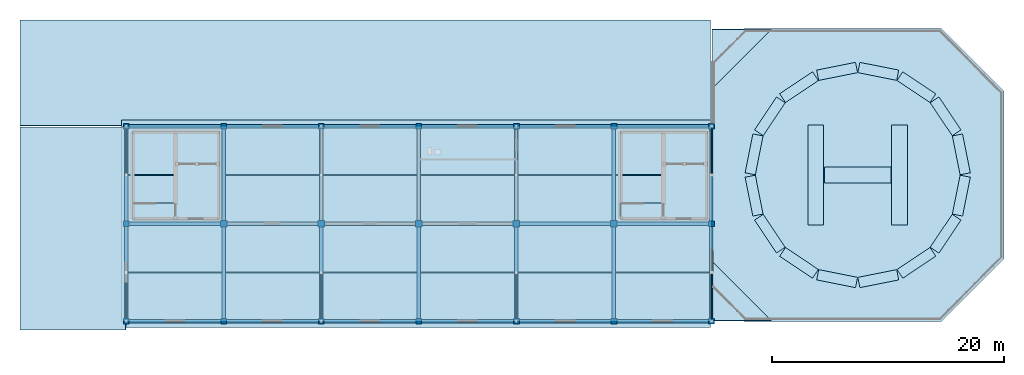
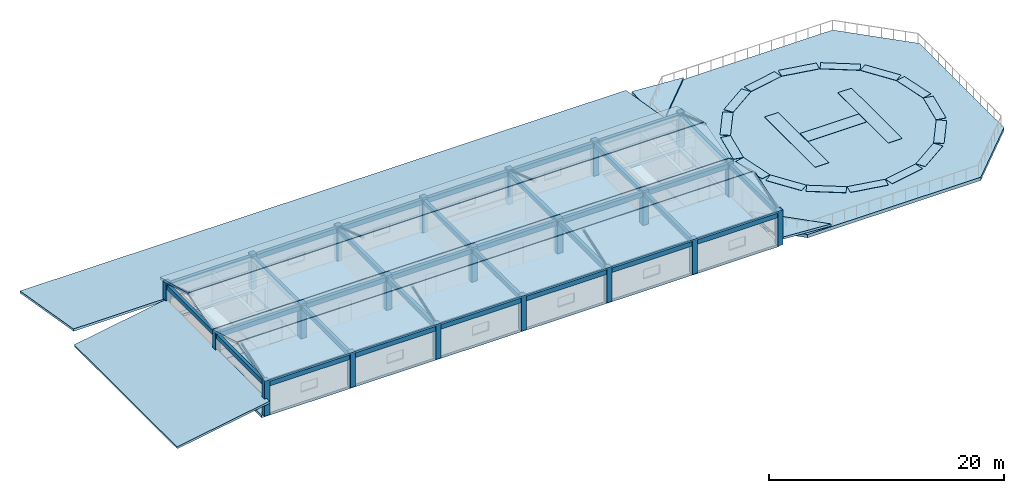
# One storey, part 1 of 5: 32 beams, 21 columns, 19 plates, 14 slabs, 8 members.
"""IFC4 building model written with IfcOpenShell, lengths in metres."""

from ifc_helpers import new_model, si_unit, direction, frame, origin, origin_2d, place, context, subcontext, project, spatial, polyline, rectangle, hollow_circle, outline, extrude, material, layer, layer_set, material_profile, profile_set, type_object, element, save


model = new_model("IFC4")

# Units and contexts
model_context = context("Model", 3, precision=1e-05, world=origin(), true_north=direction((0.0, 1.0)))
body_context = subcontext(model_context, "Body", "Model", "MODEL_VIEW")
ifc_project = project(units=[si_unit("LENGTHUNIT", "METRE"), si_unit("AREAUNIT", "SQUARE_METRE"), si_unit("VOLUMEUNIT", "CUBIC_METRE"), si_unit("PLANEANGLEUNIT", "RADIAN"), si_unit("MASSUNIT", "GRAM", prefix="KILO")], contexts=[model_context])

# Site, building, storey
site_placement = place(None, origin())
site = spatial("IfcSite", under=ifc_project, at=site_placement, CompositionType="ELEMENT")
building_placement = place(site_placement, origin())
building = spatial("IfcBuilding", under=site, at=building_placement, Name="Trelvath General Hospital", CompositionType="ELEMENT")
storey_placement = place(building_placement, frame((0.0, 0.0, 33.0)))
storey = spatial("IfcBuildingStorey", under=building, at=storey_placement, Name="RF", CompositionType="ELEMENT", Elevation=33.0)

# Columns
ifc_material_1 = material(Name="Concrete C40/50", Category="concrete")
ifc_material_profile_1 = material_profile(ifc_material_1, rectangle(XDim=0.5, YDim=0.5, at=origin_2d()), Name="RC500x500")
ifc_profile_set_1 = profile_set([ifc_material_profile_1], Name="Concrete C40/50")
column_type_1 = type_object("IfcColumnType", Name="Column RC500", PredefinedType="COLUMN", material=ifc_profile_set_1)
for number, where, z_axis, x_axis, name in (
    (1, (42.0, 92.39990234375, 0.0), (0.0, 0.0, 1.0), (1.0, 0.0, 0.0), "Column C-6L RF"),
    (2, (42.0, 100.800048828125, 0.0), (0.0, 0.0, 1.0), (1.0, 0.0, 0.0), "Column C-6M RF"),
    (3, (42.0, 109.199951171875, 0.0), (0.0, 0.0, 1.0), (1.0, 0.0, 0.0), "Column C-6N RF"),
    (4, (50.39990234375, 92.39990234375, 0.0), (0.0, 0.0, 1.0), (1.0, 0.0, 0.0), "Column C-7L RF"),
    (5, (50.39990234375, 109.199951171875, 0.0), (0.0, 0.0, 1.0), (1.0, 0.0, 0.0), "Column C-7N RF"),
    (6, (58.800048828125, 92.39990234375, 0.0), (0.0, 0.0, 1.0), (1.0, 0.0, 0.0), "Column C-8L RF"),
    (7, (58.800048828125, 109.199951171875, 0.0), (0.0, 0.0, 1.0), (1.0, 0.0, 0.0), "Column C-8N RF"),
    (8, (67.199951171875, 92.39990234375, 0.0), (0.0, 0.0, 1.0), (1.0, 0.0, 0.0), "Column C-9L RF"),
    (9, (67.199951171875, 109.199951171875, 0.0), (0.0, 0.0, 1.0), (1.0, 0.0, 0.0), "Column C-9N RF"),
    (10, (75.60009765625, 92.39990234375, 0.0), (0.0, 0.0, 1.0), (1.0, 0.0, 0.0), "Column C-10L RF"),
    (11, (75.60009765625, 109.199951171875, 0.0), (0.0, 0.0, 1.0), (1.0, 0.0, 0.0), "Column C-10N RF"),
    (12, (84.0, 92.39990234375, 0.0), (0.0, 0.0, 1.0), (1.0, 0.0, 0.0), "Column C-11L RF"),
    (13, (84.0, 109.199951171875, 0.0), (0.0, 0.0, 1.0), (1.0, 0.0, 0.0), "Column C-11N RF"),
    (14, (92.39990234375, 92.39990234375, 0.0), (0.0, 0.0, 1.0), (1.0, 0.0, 0.0), "Column C-12L RF"),
    (15, (92.39990234375, 100.800048828125, 0.0), (0.0, 0.0, 1.0), (1.0, 0.0, 0.0), "Column C-12M RF"),
    (16, (92.39990234375, 109.199951171875, 0.0), (0.0, 0.0, 1.0), (1.0, 0.0, 0.0), "Column C-12N RF"),
):
    element("IfcColumn", number, at=place(storey_placement, frame(where, z_axis=z_axis, x_axis=x_axis)), inside=storey, type_object=column_type_1, Name=name, PredefinedType="COLUMN", context=body_context, shape_type="SweptSolid", body=[
        extrude(rectangle(XDim=0.5, YDim=0.5, at=origin_2d()), origin(), (0.0, 0.0, 1.0), 3.60009765625),
    ])
ifc_material_2 = material(Name="Concrete C40/50", Category="concrete")
ifc_material_profile_2 = material_profile(ifc_material_2, rectangle(XDim=0.550048828125, YDim=0.550048828125, at=origin_2d()), Name="RC550x550")
ifc_profile_set_2 = profile_set([ifc_material_profile_2], Name="Concrete C40/50")
column_type_2 = type_object("IfcColumnType", Name="Column RC550", PredefinedType="COLUMN", material=ifc_profile_set_2)
for number, where, z_axis, x_axis, name in (
    (17, (50.39990234375, 100.800048828125, 0.0), (0.0, 0.0, 1.0), (1.0, 0.0, 0.0), "Column C-7M RF"),
    (18, (58.800048828125, 100.800048828125, 0.0), (0.0, 0.0, 1.0), (1.0, 0.0, 0.0), "Column C-8M RF"),
    (19, (67.199951171875, 100.800048828125, 0.0), (0.0, 0.0, 1.0), (1.0, 0.0, 0.0), "Column C-9M RF"),
    (20, (75.60009765625, 100.800048828125, 0.0), (0.0, 0.0, 1.0), (1.0, 0.0, 0.0), "Column C-10M RF"),
    (21, (84.0, 100.800048828125, 0.0), (0.0, 0.0, 1.0), (1.0, 0.0, 0.0), "Column C-11M RF"),
):
    element("IfcColumn", number, at=place(storey_placement, frame(where, z_axis=z_axis, x_axis=x_axis)), inside=storey, type_object=column_type_2, Name=name, PredefinedType="COLUMN", context=body_context, shape_type="SweptSolid", body=[
        extrude(rectangle(XDim=0.550048828125, YDim=0.550048828125, at=origin_2d()), origin(), (0.0, 0.0, 1.0), 3.60009765625),
    ])

# Beams
ifc_material_3 = material(Name="Concrete C35/45", Category="concrete")
ifc_material_profile_3 = material_profile(ifc_material_3, rectangle(XDim=0.300048828125, YDim=0.449951171875, at=origin_2d()), Name="RCB300x450")
ifc_profile_set_3 = profile_set([ifc_material_profile_3], Name="Concrete C35/45")
beam_type_1 = type_object("IfcBeamType", Name="Beam RC300x450", PredefinedType="BEAM", material=ifc_profile_set_3)
beam_1_placement = place(storey_placement, frame((42.0, 92.64501953125, 3.155029296875), z_axis=(0.0, 1.0, 0.0), x_axis=(-1.0, 0.0, 0.0)))
element("IfcBeam", 22, at=beam_1_placement, inside=storey, type_object=beam_type_1, Name="Grid Beam BY-F05L", PredefinedType="BEAM", context=body_context, shape_type="SweptSolid", body=[
    extrude(rectangle(XDim=0.300048828125, YDim=0.449951171875, at=origin_2d()), origin(), (0.0, 0.0, 1.0), 7.909912109375),
])
beam_2_placement = place(storey_placement, frame((42.0, 101.044921875, 3.155029296875), z_axis=(0.0, 1.0, 0.0), x_axis=(-1.0, 0.0, 0.0)))
element("IfcBeam", 23, at=beam_2_placement, inside=storey, type_object=beam_type_1, Name="Grid Beam BY-F05M", PredefinedType="BEAM", context=body_context, shape_type="SweptSolid", body=[
    extrude(rectangle(XDim=0.300048828125, YDim=0.449951171875, at=origin_2d()), origin(), (0.0, 0.0, 1.0), 7.91015625),
])
for number, where, z_axis, x_axis, name in (
    (24, (50.39990234375, 92.64501953125, 3.155029296875), (0.0, 1.0, 0.0), (-1.0, 0.0, 0.0), "Grid Beam BY-F06L"),
    (25, (50.39990234375, 101.070068359375, 3.155029296875), (0.0, 1.0, 0.0), (-1.0, 0.0, 0.0), "Grid Beam BY-F06M"),
    (26, (58.800048828125, 92.64501953125, 3.155029296875), (0.0, 1.0, 0.0), (-1.0, 0.0, 0.0), "Grid Beam BY-F07L"),
    (27, (58.800048828125, 101.070068359375, 3.155029296875), (0.0, 1.0, 0.0), (-1.0, 0.0, 0.0), "Grid Beam BY-F07M"),
    (28, (67.199951171875, 92.64501953125, 3.155029296875), (0.0, 1.0, 0.0), (-1.0, 0.0, 0.0), "Grid Beam BY-F08L"),
    (29, (67.199951171875, 101.070068359375, 3.155029296875), (0.0, 1.0, 0.0), (-1.0, 0.0, 0.0), "Grid Beam BY-F08M"),
    (30, (75.60009765625, 92.64501953125, 3.155029296875), (0.0, 1.0, 0.0), (-1.0, 0.0, 0.0), "Grid Beam BY-F09L"),
    (31, (75.60009765625, 101.070068359375, 3.155029296875), (0.0, 1.0, 0.0), (-1.0, 0.0, 0.0), "Grid Beam BY-F09M"),
    (32, (84.0, 92.64501953125, 3.155029296875), (0.0, 1.0, 0.0), (-1.0, 0.0, 0.0), "Grid Beam BY-F10L"),
    (33, (84.0, 101.070068359375, 3.155029296875), (0.0, 1.0, 0.0), (-1.0, 0.0, 0.0), "Grid Beam BY-F10M"),
):
    element("IfcBeam", number, at=place(storey_placement, frame(where, z_axis=z_axis, x_axis=x_axis)), inside=storey, type_object=beam_type_1, Name=name, PredefinedType="BEAM", context=body_context, shape_type="SweptSolid", body=[
        extrude(rectangle(XDim=0.300048828125, YDim=0.449951171875, at=origin_2d()), origin(), (0.0, 0.0, 1.0), 7.885009765625),
    ])
beam_3_placement = place(storey_placement, frame((92.39990234375, 92.64501953125, 3.155029296875), z_axis=(0.0, 1.0, 0.0), x_axis=(-1.0, 0.0, 0.0)))
element("IfcBeam", 34, at=beam_3_placement, inside=storey, type_object=beam_type_1, Name="Grid Beam BY-F11L", PredefinedType="BEAM", context=body_context, shape_type="SweptSolid", body=[
    extrude(rectangle(XDim=0.300048828125, YDim=0.449951171875, at=origin_2d()), origin(), (0.0, 0.0, 1.0), 7.909912109375),
])
beam_4_placement = place(storey_placement, frame((92.39990234375, 101.044921875, 3.155029296875), z_axis=(0.0, 1.0, 0.0), x_axis=(-1.0, 0.0, 0.0)))
element("IfcBeam", 35, at=beam_4_placement, inside=storey, type_object=beam_type_1, Name="Grid Beam BY-F11M", PredefinedType="BEAM", context=body_context, shape_type="SweptSolid", body=[
    extrude(rectangle(XDim=0.300048828125, YDim=0.449951171875, at=origin_2d()), origin(), (0.0, 0.0, 1.0), 7.91015625),
])
ifc_material_4 = material(Name="Concrete C35/45", Category="concrete")
ifc_material_profile_4 = material_profile(ifc_material_4, rectangle(XDim=0.320068359375, YDim=0.47998046875, at=origin_2d()), Name="RCB320x480")
ifc_profile_set_4 = profile_set([ifc_material_profile_4], Name="Concrete C35/45")
beam_type_2 = type_object("IfcBeamType", Name="Beam RC320x480", PredefinedType="BEAM", material=ifc_profile_set_4)
beam_5_placement = place(storey_placement, frame((42.2451171875, 92.39990234375, 3.139892578125), z_axis=(1.0, 0.0, 0.0), x_axis=(0.0, 1.0, 0.0)))
element("IfcBeam", 36, at=beam_5_placement, inside=storey, type_object=beam_type_2, Name="Grid Beam BX-F05L", PredefinedType="BEAM", context=body_context, shape_type="SweptSolid", body=[
    extrude(rectangle(XDim=0.320068359375, YDim=0.47998046875, at=origin_2d()), origin(), (0.0, 0.0, 1.0), 7.909912109375),
])
beam_6_placement = place(storey_placement, frame((42.2451171875, 100.800048828125, 3.139892578125), z_axis=(1.0, 0.0, 0.0), x_axis=(0.0, 1.0, 0.0)))
element("IfcBeam", 37, at=beam_6_placement, inside=storey, type_object=beam_type_2, Name="Grid Beam BX-F05M", PredefinedType="BEAM", context=body_context, shape_type="SweptSolid", body=[
    extrude(rectangle(XDim=0.320068359375, YDim=0.47998046875, at=origin_2d()), origin(), (0.0, 0.0, 1.0), 7.884765625),
])
for number, where, z_axis, x_axis, name in (
    (38, (42.2451171875, 109.199951171875, 3.139892578125), (1.0, 0.0, 0.0), (0.0, 1.0, 0.0), "Grid Beam BX-F05N"),
    (39, (50.64501953125, 92.39990234375, 3.139892578125), (1.0, 0.0, 0.0), (0.0, 1.0, 0.0), "Grid Beam BX-F06L"),
):
    element("IfcBeam", number, at=place(storey_placement, frame(where, z_axis=z_axis, x_axis=x_axis)), inside=storey, type_object=beam_type_2, Name=name, PredefinedType="BEAM", context=body_context, shape_type="SweptSolid", body=[
        extrude(rectangle(XDim=0.320068359375, YDim=0.47998046875, at=origin_2d()), origin(), (0.0, 0.0, 1.0), 7.909912109375),
    ])
beam_7_placement = place(storey_placement, frame((50.669921875, 100.800048828125, 3.139892578125), z_axis=(1.0, 0.0, 0.0), x_axis=(0.0, 1.0, 0.0)))
element("IfcBeam", 40, at=beam_7_placement, inside=storey, type_object=beam_type_2, Name="Grid Beam BX-F06M", PredefinedType="BEAM", context=body_context, shape_type="SweptSolid", body=[
    extrude(rectangle(XDim=0.320068359375, YDim=0.47998046875, at=origin_2d()), origin(), (0.0, 0.0, 1.0), 7.860107421875),
])
beam_8_placement = place(storey_placement, frame((50.64501953125, 109.199951171875, 3.139892578125), z_axis=(1.0, 0.0, 0.0), x_axis=(0.0, 1.0, 0.0)))
element("IfcBeam", 41, at=beam_8_placement, inside=storey, type_object=beam_type_2, Name="Grid Beam BX-F06N", PredefinedType="BEAM", context=body_context, shape_type="SweptSolid", body=[
    extrude(rectangle(XDim=0.320068359375, YDim=0.47998046875, at=origin_2d()), origin(), (0.0, 0.0, 1.0), 7.909912109375),
])
beam_9_placement = place(storey_placement, frame((59.044921875, 92.39990234375, 3.139892578125), z_axis=(1.0, 0.0, 0.0), x_axis=(0.0, 1.0, 0.0)))
element("IfcBeam", 42, at=beam_9_placement, inside=storey, type_object=beam_type_2, Name="Grid Beam BX-F07L", PredefinedType="BEAM", context=body_context, shape_type="SweptSolid", body=[
    extrude(rectangle(XDim=0.320068359375, YDim=0.47998046875, at=origin_2d()), origin(), (0.0, 0.0, 1.0), 7.91015625),
])
beam_10_placement = place(storey_placement, frame((59.070068359375, 100.800048828125, 3.139892578125), z_axis=(1.0, 0.0, 0.0), x_axis=(0.0, 1.0, 0.0)))
element("IfcBeam", 43, at=beam_10_placement, inside=storey, type_object=beam_type_2, Name="Grid Beam BX-F07M", PredefinedType="BEAM", context=body_context, shape_type="SweptSolid", body=[
    extrude(rectangle(XDim=0.320068359375, YDim=0.47998046875, at=origin_2d()), origin(), (0.0, 0.0, 1.0), 7.85986328125),
])
beam_11_placement = place(storey_placement, frame((59.044921875, 109.199951171875, 3.139892578125), z_axis=(1.0, 0.0, 0.0), x_axis=(0.0, 1.0, 0.0)))
element("IfcBeam", 44, at=beam_11_placement, inside=storey, type_object=beam_type_2, Name="Grid Beam BX-F07N", PredefinedType="BEAM", context=body_context, shape_type="SweptSolid", body=[
    extrude(rectangle(XDim=0.320068359375, YDim=0.47998046875, at=origin_2d()), origin(), (0.0, 0.0, 1.0), 7.91015625),
])
beam_12_placement = place(storey_placement, frame((67.445068359375, 92.39990234375, 3.139892578125), z_axis=(1.0, 0.0, 0.0), x_axis=(0.0, 1.0, 0.0)))
element("IfcBeam", 45, at=beam_12_placement, inside=storey, type_object=beam_type_2, Name="Grid Beam BX-F08L", PredefinedType="BEAM", context=body_context, shape_type="SweptSolid", body=[
    extrude(rectangle(XDim=0.320068359375, YDim=0.47998046875, at=origin_2d()), origin(), (0.0, 0.0, 1.0), 7.909912109375),
])
beam_13_placement = place(storey_placement, frame((67.469970703125, 100.800048828125, 3.139892578125), z_axis=(1.0, 0.0, 0.0), x_axis=(0.0, 1.0, 0.0)))
element("IfcBeam", 46, at=beam_13_placement, inside=storey, type_object=beam_type_2, Name="Grid Beam BX-F08M", PredefinedType="BEAM", context=body_context, shape_type="SweptSolid", body=[
    extrude(rectangle(XDim=0.320068359375, YDim=0.47998046875, at=origin_2d()), origin(), (0.0, 0.0, 1.0), 7.860107421875),
])
for number, where, z_axis, x_axis, name in (
    (47, (67.445068359375, 109.199951171875, 3.139892578125), (1.0, 0.0, 0.0), (0.0, 1.0, 0.0), "Grid Beam BX-F08N"),
    (48, (75.844970703125, 92.39990234375, 3.139892578125), (1.0, 0.0, 0.0), (0.0, 1.0, 0.0), "Grid Beam BX-F09L"),
):
    element("IfcBeam", number, at=place(storey_placement, frame(where, z_axis=z_axis, x_axis=x_axis)), inside=storey, type_object=beam_type_2, Name=name, PredefinedType="BEAM", context=body_context, shape_type="SweptSolid", body=[
        extrude(rectangle(XDim=0.320068359375, YDim=0.47998046875, at=origin_2d()), origin(), (0.0, 0.0, 1.0), 7.909912109375),
    ])
beam_14_placement = place(storey_placement, frame((75.8701171875, 100.800048828125, 3.139892578125), z_axis=(1.0, 0.0, 0.0), x_axis=(0.0, 1.0, 0.0)))
element("IfcBeam", 49, at=beam_14_placement, inside=storey, type_object=beam_type_2, Name="Grid Beam BX-F09M", PredefinedType="BEAM", context=body_context, shape_type="SweptSolid", body=[
    extrude(rectangle(XDim=0.320068359375, YDim=0.47998046875, at=origin_2d()), origin(), (0.0, 0.0, 1.0), 7.85986328125),
])
for number, where, z_axis, x_axis, name in (
    (50, (75.844970703125, 109.199951171875, 3.139892578125), (1.0, 0.0, 0.0), (0.0, 1.0, 0.0), "Grid Beam BX-F09N"),
    (51, (84.2451171875, 92.39990234375, 3.139892578125), (1.0, 0.0, 0.0), (0.0, 1.0, 0.0), "Grid Beam BX-F10L"),
):
    element("IfcBeam", number, at=place(storey_placement, frame(where, z_axis=z_axis, x_axis=x_axis)), inside=storey, type_object=beam_type_2, Name=name, PredefinedType="BEAM", context=body_context, shape_type="SweptSolid", body=[
        extrude(rectangle(XDim=0.320068359375, YDim=0.47998046875, at=origin_2d()), origin(), (0.0, 0.0, 1.0), 7.909912109375),
    ])
beam_15_placement = place(storey_placement, frame((84.27001953125, 100.800048828125, 3.139892578125), z_axis=(1.0, 0.0, 0.0), x_axis=(0.0, 1.0, 0.0)))
element("IfcBeam", 52, at=beam_15_placement, inside=storey, type_object=beam_type_2, Name="Grid Beam BX-F10M", PredefinedType="BEAM", context=body_context, shape_type="SweptSolid", body=[
    extrude(rectangle(XDim=0.320068359375, YDim=0.47998046875, at=origin_2d()), origin(), (0.0, 0.0, 1.0), 7.885009765625),
])
beam_16_placement = place(storey_placement, frame((84.2451171875, 109.199951171875, 3.139892578125), z_axis=(1.0, 0.0, 0.0), x_axis=(0.0, 1.0, 0.0)))
element("IfcBeam", 53, at=beam_16_placement, inside=storey, type_object=beam_type_2, Name="Grid Beam BX-F10N", PredefinedType="BEAM", context=body_context, shape_type="SweptSolid", body=[
    extrude(rectangle(XDim=0.320068359375, YDim=0.47998046875, at=origin_2d()), origin(), (0.0, 0.0, 1.0), 7.909912109375),
])

# Members
ifc_material_5 = material(Name="Steel S355", Category="steel")
ifc_material_profile_5 = material_profile(ifc_material_5, hollow_circle(Radius=0.096923828125, WallThickness=0.008056640625, at=origin_2d()), Name="CHS193.7x8.0")
ifc_profile_set_5 = profile_set([ifc_material_profile_5], Name="Steel S355")
member_type = type_object("IfcMemberType", Name="ShellStrut CHS193", PredefinedType="STRUT", material=ifc_profile_set_5)
member_1_placement = place(storey_placement, frame((42.0, 92.39990234375, 3.39990234375), z_axis=(0.0, 0.946627760403, 0.322328843318), x_axis=(-1.0, 0.0, 0.0)))
element("IfcMember", 54, at=member_1_placement, inside=storey, type_object=member_type, Name="Headhouse Shell S Strut 47", PredefinedType="STRUT", context=body_context, shape_type="SweptSolid", body=[
    extrude(hollow_circle(Radius=0.096923828125, WallThickness=0.008056640625, at=origin_2d()), origin(), (0.0, 0.0, 1.0), 4.43701171875),
])
member_2_placement = place(storey_placement, frame((42.0, 109.199951171875, 3.39990234375), z_axis=(0.0, -0.94662204322, 0.322345633272), x_axis=(1.0, 0.0, 0.0)))
element("IfcMember", 55, at=member_2_placement, inside=storey, type_object=member_type, Name="Headhouse Shell N Strut 48", PredefinedType="STRUT", context=body_context, shape_type="SweptSolid", body=[
    extrude(hollow_circle(Radius=0.096923828125, WallThickness=0.008056640625, at=origin_2d()), origin(), (0.0, 0.0, 1.0), 4.436767578125),
])
member_3_placement = place(storey_placement, frame((58.800048828125, 92.39990234375, 3.39990234375), z_axis=(0.0, 0.946627760403, 0.322328843318), x_axis=(-1.0, 0.0, 0.0)))
element("IfcMember", 56, at=member_3_placement, inside=storey, type_object=member_type, Name="Headhouse Shell S Strut 49", PredefinedType="STRUT", context=body_context, shape_type="SweptSolid", body=[
    extrude(hollow_circle(Radius=0.096923828125, WallThickness=0.008056640625, at=origin_2d()), origin(), (0.0, 0.0, 1.0), 4.43701171875),
])
member_4_placement = place(storey_placement, frame((58.800048828125, 109.199951171875, 3.39990234375), z_axis=(0.0, -0.94662204322, 0.322345633272), x_axis=(1.0, 0.0, 0.0)))
element("IfcMember", 57, at=member_4_placement, inside=storey, type_object=member_type, Name="Headhouse Shell N Strut 50", PredefinedType="STRUT", context=body_context, shape_type="SweptSolid", body=[
    extrude(hollow_circle(Radius=0.096923828125, WallThickness=0.008056640625, at=origin_2d()), origin(), (0.0, 0.0, 1.0), 4.436767578125),
])
member_5_placement = place(storey_placement, frame((75.60009765625, 92.39990234375, 3.39990234375), z_axis=(0.0, 0.946627760403, 0.322328843318), x_axis=(-1.0, 0.0, 0.0)))
element("IfcMember", 58, at=member_5_placement, inside=storey, type_object=member_type, Name="Headhouse Shell S Strut 51", PredefinedType="STRUT", context=body_context, shape_type="SweptSolid", body=[
    extrude(hollow_circle(Radius=0.096923828125, WallThickness=0.008056640625, at=origin_2d()), origin(), (0.0, 0.0, 1.0), 4.43701171875),
])
member_6_placement = place(storey_placement, frame((75.60009765625, 109.199951171875, 3.39990234375), z_axis=(0.0, -0.94662204322, 0.322345633272), x_axis=(1.0, 0.0, 0.0)))
element("IfcMember", 59, at=member_6_placement, inside=storey, type_object=member_type, Name="Headhouse Shell N Strut 52", PredefinedType="STRUT", context=body_context, shape_type="SweptSolid", body=[
    extrude(hollow_circle(Radius=0.096923828125, WallThickness=0.008056640625, at=origin_2d()), origin(), (0.0, 0.0, 1.0), 4.436767578125),
])
member_7_placement = place(storey_placement, frame((92.39990234375, 92.39990234375, 3.39990234375), z_axis=(0.0, 0.946627760403, 0.322328843318), x_axis=(-1.0, 0.0, 0.0)))
element("IfcMember", 60, at=member_7_placement, inside=storey, type_object=member_type, Name="Headhouse Shell S Strut 53", PredefinedType="STRUT", context=body_context, shape_type="SweptSolid", body=[
    extrude(hollow_circle(Radius=0.096923828125, WallThickness=0.008056640625, at=origin_2d()), origin(), (0.0, 0.0, 1.0), 4.43701171875),
])
member_8_placement = place(storey_placement, frame((92.39990234375, 109.199951171875, 3.39990234375), z_axis=(0.0, -0.94662204322, 0.322345633272), x_axis=(1.0, 0.0, 0.0)))
element("IfcMember", 61, at=member_8_placement, inside=storey, type_object=member_type, Name="Headhouse Shell N Strut 54", PredefinedType="STRUT", context=body_context, shape_type="SweptSolid", body=[
    extrude(hollow_circle(Radius=0.096923828125, WallThickness=0.008056640625, at=origin_2d()), origin(), (0.0, 0.0, 1.0), 4.436767578125),
])

# Slabs
ifc_material_6 = material(Name="Concrete C35/45", Category="concrete")
ifc_layer_1 = layer(ifc_material_6, 0.260009765625)
ifc_layer_set_1 = layer_set([ifc_layer_1], Name="Concrete C35/45")
slab_type_1 = type_object("IfcSlabType", Name="FlatSlab Ward260", PredefinedType="FLOOR", material=ifc_layer_set_1)
slab_1_placement = place(storey_placement, frame((0.0, 0.0, -0.260009765625)))
element("IfcSlab", 62, at=slab_1_placement, inside=storey, type_object=slab_type_1, Name="Floor Slab SL-RF-V5-R1", PredefinedType="FLOOR", context=body_context, shape_type="SweptSolid", body=[
    extrude(outline(polyline([(92.39990234375, 92.39990234375), (41.580078125, 92.39990234375), (41.580078125, 109.199951171875), (92.39990234375, 109.199951171875), (92.39990234375, 92.39990234375)]), holes=[polyline([(42.550048828125, 101.199951171875), (50.050048828125, 101.199951171875), (50.050048828125, 108.75), (42.550048828125, 108.75), (42.550048828125, 101.199951171875)]), polyline([(84.550048828125, 101.199951171875), (92.050048828125, 101.199951171875), (92.050048828125, 108.75), (84.550048828125, 108.75), (84.550048828125, 101.199951171875)])]), origin(), (0.0, 0.0, 1.0), 0.260009765625),
])
slab_2_placement = place(storey_placement, frame((0.0, 0.0, -0.260009765625)))
element("IfcSlab", 63, at=slab_2_placement, inside=storey, type_object=slab_type_1, Name="Core Lobby Slab C1 RF", PredefinedType="FLOOR", context=body_context, shape_type="SweptSolid", body=[
    extrude(outline(polyline([(46.25, 101.199951171875), (50.050048828125, 101.199951171875), (50.050048828125, 105.949951171875), (46.25, 105.949951171875), (46.25, 101.199951171875)])), origin(), (0.0, 0.0, 1.0), 0.260009765625),
])
slab_3_placement = place(storey_placement, frame((0.0, 0.0, -0.260009765625)))
element("IfcSlab", 64, at=slab_3_placement, inside=storey, type_object=slab_type_1, Name="Stair Landing Slab C1 RF", PredefinedType="FLOOR", context=body_context, shape_type="SweptSolid", body=[
    extrude(outline(polyline([(42.550048828125, 101.199951171875), (46.25, 101.199951171875), (46.25, 102.60009765625), (42.550048828125, 102.60009765625), (42.550048828125, 101.199951171875)])), origin(), (0.0, 0.0, 1.0), 0.260009765625),
])
slab_4_placement = place(storey_placement, frame((0.0, 0.0, -0.260009765625)))
element("IfcSlab", 65, at=slab_4_placement, inside=storey, type_object=slab_type_1, Name="Core Lobby Slab C2 RF", PredefinedType="FLOOR", context=body_context, shape_type="SweptSolid", body=[
    extrude(outline(polyline([(88.25, 101.199951171875), (92.050048828125, 101.199951171875), (92.050048828125, 105.949951171875), (88.25, 105.949951171875), (88.25, 101.199951171875)])), origin(), (0.0, 0.0, 1.0), 0.260009765625),
])
slab_5_placement = place(storey_placement, frame((0.0, 0.0, -0.260009765625)))
element("IfcSlab", 66, at=slab_5_placement, inside=storey, type_object=slab_type_1, Name="Stair Landing Slab C2 RF", PredefinedType="FLOOR", context=body_context, shape_type="SweptSolid", body=[
    extrude(outline(polyline([(84.550048828125, 101.199951171875), (88.25, 101.199951171875), (88.25, 102.60009765625), (84.550048828125, 102.60009765625), (84.550048828125, 101.199951171875)])), origin(), (0.0, 0.0, 1.0), 0.260009765625),
])
ifc_material_7 = material(Name="Concrete C40/50", Category="concrete")
ifc_layer_2 = layer(ifc_material_7, 0.340087890625)
ifc_layer_set_2 = layer_set([ifc_layer_2], Name="Concrete C40/50")
slab_type_2 = type_object("IfcSlabType", Name="HelipadDeck RC340", PredefinedType="ROOF", material=ifc_layer_set_2)
slab_6_placement = place(storey_placement, frame((0.0, 0.0, -0.340087890625)))
element("IfcSlab", 67, at=slab_6_placement, inside=storey, type_object=slab_type_2, Name="Rooftop Air-Ambulance Octagonal Helipad Deck FATO", PredefinedType="ROOF", context=body_context, shape_type="SweptSolid", body=[
    extrude(outline(polyline([(95.199951171875, 92.39990234375), (112.199951171875, 92.39990234375), (117.60009765625, 97.800048828125), (117.60009765625, 112.199951171875), (112.199951171875, 117.60009765625), (95.199951171875, 117.60009765625), (92.39990234375, 114.800048828125), (92.39990234375, 95.199951171875), (95.199951171875, 92.39990234375)])), origin(), (0.0, 0.0, 1.0), 0.340087890625),
])

# Plates
ifc_material_8 = material(Name="Painted aluminium deck plate", Category="aluminium")
ifc_layer_3 = layer(ifc_material_8, 0.02001953125)
ifc_layer_set_3 = layer_set([ifc_layer_3], Name="Painted aluminium deck plate")
plate_type = type_object("IfcPlateType", Name="HelipadMarkingPlate Alu20", PredefinedType="SHEET", material=ifc_layer_set_3)
for number, where, z_axis, x_axis, name in (
    (68, (101.39990234375, 105.0, 0.0), (0.0, 0.0, 1.0), (1.0, 0.0, 0.0), "Helipad Touchdown Emblem H-LEFT"),
    (69, (108.60009765625, 105.0, 0.0), (0.0, 0.0, 1.0), (1.0, 0.0, 0.0), "Helipad Touchdown Emblem H-RIGHT"),
):
    element("IfcPlate", number, at=place(storey_placement, frame(where, z_axis=z_axis, x_axis=x_axis)), inside=storey, type_object=plate_type, Name=name, PredefinedType="SHEET", context=body_context, shape_type="SweptSolid", body=[
        extrude(rectangle(XDim=1.35009765625, YDim=8.60009765625, at=origin_2d()), origin(), (0.0, 0.0, 1.0), 0.02001953125),
    ])
plate_placement = place(storey_placement, frame((105.0, 105.0, 0.0), z_axis=(0.0, 0.0, 1.0), x_axis=(1.0, 0.0, 0.0)))
element("IfcPlate", 70, at=plate_placement, inside=storey, type_object=plate_type, Name="Helipad Touchdown Emblem H-CROSS", PredefinedType="SHEET", context=body_context, shape_type="SweptSolid", body=[
    extrude(rectangle(XDim=5.760009765625, YDim=1.35009765625, at=origin_2d()), origin(), (0.0, 0.0, 1.0), 0.02001953125),
])
for number, where, z_axis, x_axis, name in (
    (71, (113.925048828125, 106.77490234375, 0.0), (0.0, 0.0, 1.0), (-0.195090322016, 0.980785280403, 0.0), "Helipad Touchdown Ring Segment 01"),
    (72, (112.56591796875, 110.055908203125, 0.0), (0.0, 0.0, 1.0), (-0.55557023302, 0.831469612303, 0.0), "Helipad Touchdown Ring Segment 02"),
    (73, (110.055908203125, 112.56591796875, 0.0), (0.0, 0.0, 1.0), (-0.831469612303, 0.55557023302, 0.0), "Helipad Touchdown Ring Segment 03"),
    (74, (106.77490234375, 113.925048828125, 0.0), (0.0, 0.0, 1.0), (-0.980785280403, 0.195090322016, 0.0), "Helipad Touchdown Ring Segment 04"),
    (75, (103.22509765625, 113.925048828125, 0.0), (0.0, 0.0, 1.0), (-0.980785280403, -0.195090322016, 0.0), "Helipad Touchdown Ring Segment 05"),
    (76, (99.944091796875, 112.56591796875, 0.0), (0.0, 0.0, 1.0), (-0.831469612303, -0.55557023302, 0.0), "Helipad Touchdown Ring Segment 06"),
    (77, (97.43408203125, 110.055908203125, 0.0), (0.0, 0.0, 1.0), (-0.55557023302, -0.831469612303, 0.0), "Helipad Touchdown Ring Segment 07"),
    (78, (96.074951171875, 106.77490234375, 0.0), (0.0, 0.0, 1.0), (-0.195090322016, -0.980785280403, 0.0), "Helipad Touchdown Ring Segment 08"),
    (79, (96.074951171875, 103.22509765625, 0.0), (0.0, 0.0, 1.0), (0.195090322016, -0.980785280403, 0.0), "Helipad Touchdown Ring Segment 09"),
    (80, (97.43408203125, 99.944091796875, 0.0), (0.0, 0.0, 1.0), (0.55557023302, -0.831469612303, 0.0), "Helipad Touchdown Ring Segment 10"),
    (81, (99.944091796875, 97.43408203125, 0.0), (0.0, 0.0, 1.0), (0.831469612303, -0.55557023302, 0.0), "Helipad Touchdown Ring Segment 11"),
    (82, (103.22509765625, 96.074951171875, 0.0), (0.0, 0.0, 1.0), (0.980785280403, -0.195090322016, 0.0), "Helipad Touchdown Ring Segment 12"),
    (83, (106.77490234375, 96.074951171875, 0.0), (0.0, 0.0, 1.0), (0.980785280403, 0.195090322016, 0.0), "Helipad Touchdown Ring Segment 13"),
    (84, (110.055908203125, 97.43408203125, 0.0), (0.0, 0.0, 1.0), (0.831469612303, 0.55557023302, 0.0), "Helipad Touchdown Ring Segment 14"),
    (85, (112.56591796875, 99.944091796875, 0.0), (0.0, 0.0, 1.0), (0.55557023302, 0.831469612303, 0.0), "Helipad Touchdown Ring Segment 15"),
    (86, (113.925048828125, 103.22509765625, 0.0), (0.0, 0.0, 1.0), (0.195090322016, 0.980785280403, 0.0), "Helipad Touchdown Ring Segment 16"),
):
    element("IfcPlate", number, at=place(storey_placement, frame(where, z_axis=z_axis, x_axis=x_axis)), inside=storey, type_object=plate_type, Name=name, PredefinedType="SHEET", context=body_context, shape_type="SweptSolid", body=[
        extrude(rectangle(XDim=3.410888671875, YDim=0.89990234375, at=origin_2d()), origin(), (0.0, 0.0, 1.0), 0.02001953125),
    ])

# Slabs
ifc_material_9 = material(Name="Concrete C35/45", Category="concrete")
ifc_layer_4 = layer(ifc_material_9, 0.219970703125)
ifc_layer_set_4 = layer_set([ifc_layer_4], Name="Concrete C35/45")
slab_type_3 = type_object("IfcSlabType", Name="RoofSlab Folded220", PredefinedType="ROOF", material=ifc_layer_set_4)
slab_7_placement = place(storey_placement, frame((32.85009765625, 109.260009765625, 1.800048828125), z_axis=(0.0, 0.169148961388, 0.98559049755), x_axis=(1.0, 0.0, 0.0)))
element("IfcSlab", 87, at=slab_7_placement, inside=storey, type_object=slab_type_3, Name="North Ward Sculpted Concrete Roof N", PredefinedType="ROOF", context=body_context, shape_type="SweptSolid", body=[
    extrude(outline(polyline([(0.0, 0.0), (59.489990234375, 0.0), (59.489990234375, 9.222986537733885), (0.0, 9.222986537733885), (0.0, 0.0)])), origin(), (0.0, 0.0, -1.0), 0.219970703125),
])
slab_8_placement = place(storey_placement, frame((32.85009765625, 91.64990234375, 0.239990234375), z_axis=(-0.169153374505, 0.0, 0.985589740152), x_axis=(0.985589740152, 0.0, 0.169153374505)))
element("IfcSlab", 88, at=slab_8_placement, inside=storey, type_object=slab_type_3, Name="North Ward Sculpted Concrete Roof W", PredefinedType="ROOF", context=body_context, shape_type="SweptSolid", body=[
    extrude(outline(polyline([(0.0, 0.0), (9.222745915146275, 0.0), (9.222745915146275, 17.489990234375), (0.0, 17.489990234375), (0.0, 0.0)])), origin(), (0.0, 0.0, -1.0), 0.219970703125),
])
slab_9_placement = place(storey_placement, frame((41.60009765625, 91.860107421875, 3.840087890625), z_axis=(0.0, -0.248573246329, 0.968613101919), x_axis=(1.0, 0.0, 0.0)))
element("IfcSlab", 89, at=slab_9_placement, inside=storey, type_object=slab_type_3, Name="Helipad Headhouse Folded Concrete Roof S1", PredefinedType="ROOF", context=body_context, shape_type="SweptSolid", body=[
    extrude(outline(polyline([(0.0, 0.0), (50.739990234375, 0.0), (50.739990234375, 4.867623347917333), (0.0, 4.867623347917333), (0.0, 0.0)])), origin(), (0.0, 0.0, -1.0), 0.219970703125),
])
slab_10_placement = place(storey_placement, frame((41.60009765625, 96.625, 5.050048828125), z_axis=(0.0, 0.279908909738, 0.960026563304), x_axis=(1.0, 0.0, 0.0)))
element("IfcSlab", 90, at=slab_10_placement, inside=storey, type_object=slab_type_3, Name="Helipad Headhouse Folded Concrete Roof N1", PredefinedType="ROOF", context=body_context, shape_type="SweptSolid", body=[
    extrude(outline(polyline([(0.0, 0.0), (50.739990234375, 0.0), (50.739990234375, 4.32269533195871), (0.0, 4.32269533195871), (0.0, 0.0)])), origin(), (0.0, 0.0, -1.0), 0.219970703125),
])
slab_11_placement = place(storey_placement, frame((41.60009765625, 100.824951171875, 3.840087890625), z_axis=(0.0, -0.279893733545, 0.960030988001), x_axis=(1.0, 0.0, 0.0)))
element("IfcSlab", 91, at=slab_11_placement, inside=storey, type_object=slab_type_3, Name="Helipad Headhouse Folded Concrete Roof S2", PredefinedType="ROOF", context=body_context, shape_type="SweptSolid", body=[
    extrude(outline(polyline([(0.0, 0.0), (50.739990234375, 0.0), (50.739990234375, 4.32292971398403), (0.0, 4.32292971398403), (0.0, 0.0)])), origin(), (0.0, 0.0, -1.0), 0.219970703125),
])
slab_12_placement = place(storey_placement, frame((41.60009765625, 105.02490234375, 5.050048828125), z_axis=(0.0, 0.248561170766, 0.968616200767), x_axis=(1.0, 0.0, 0.0)))
element("IfcSlab", 92, at=slab_12_placement, inside=storey, type_object=slab_type_3, Name="Helipad Headhouse Folded Concrete Roof N2", PredefinedType="ROOF", context=body_context, shape_type="SweptSolid", body=[
    extrude(outline(polyline([(0.0, 0.0), (50.739990234375, 0.0), (50.739990234375, 4.867859826103705), (0.0, 4.867859826103705), (0.0, 0.0)])), origin(), (0.0, 0.0, -1.0), 0.219970703125),
])
slab_13_placement = place(storey_placement, frame((92.4599609375, 92.4599609375, 0.56005859375), z_axis=(0.062633549321, 0.062633549321, 0.996069313351), x_axis=(0.998028851418, 0.0, -0.062756766474)))
element("IfcSlab", 93, at=slab_13_placement, inside=storey, type_object=slab_type_3, Name="Helipad Sloped Shoulder Roof SW", PredefinedType="ROOF", context=body_context, shape_type="SweptSolid", body=[
    extrude(outline(polyline([(0.0, 0.0), (5.100141026379591, -3.469446951953614e-18), (0.020086455284889514, 5.10010147186057), (0.0, 0.0)])), origin(), (0.0, 0.0, -1.0), 0.219970703125),
])
slab_14_placement = place(storey_placement, frame((92.4599609375, 117.5400390625, 0.56005859375), z_axis=(0.062633549321, -0.062633549321, 0.996069313351), x_axis=(0.998028851418, 0.0, -0.062756766474)))
element("IfcSlab", 94, at=slab_14_placement, inside=storey, type_object=slab_type_3, Name="Helipad Sloped Shoulder Roof NW", PredefinedType="ROOF", context=body_context, shape_type="SweptSolid", body=[
    extrude(outline(polyline([(0.0, 0.0), (5.100141026379591, 3.469446951953614e-18), (0.020086455284889514, -5.10010147186057), (0.0, 0.0)])), origin(), (0.0, 0.0, -1.0), 0.219970703125),
])

save(model, "model.ifc")
